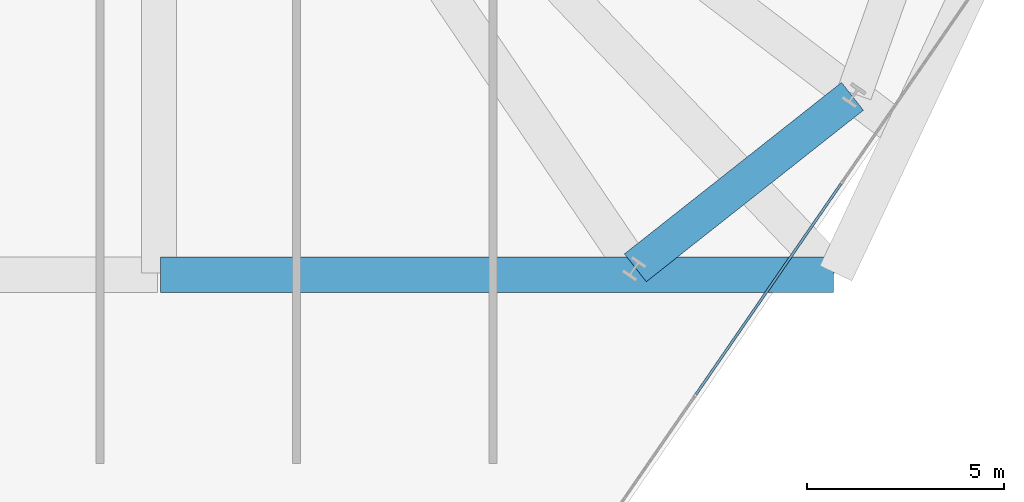
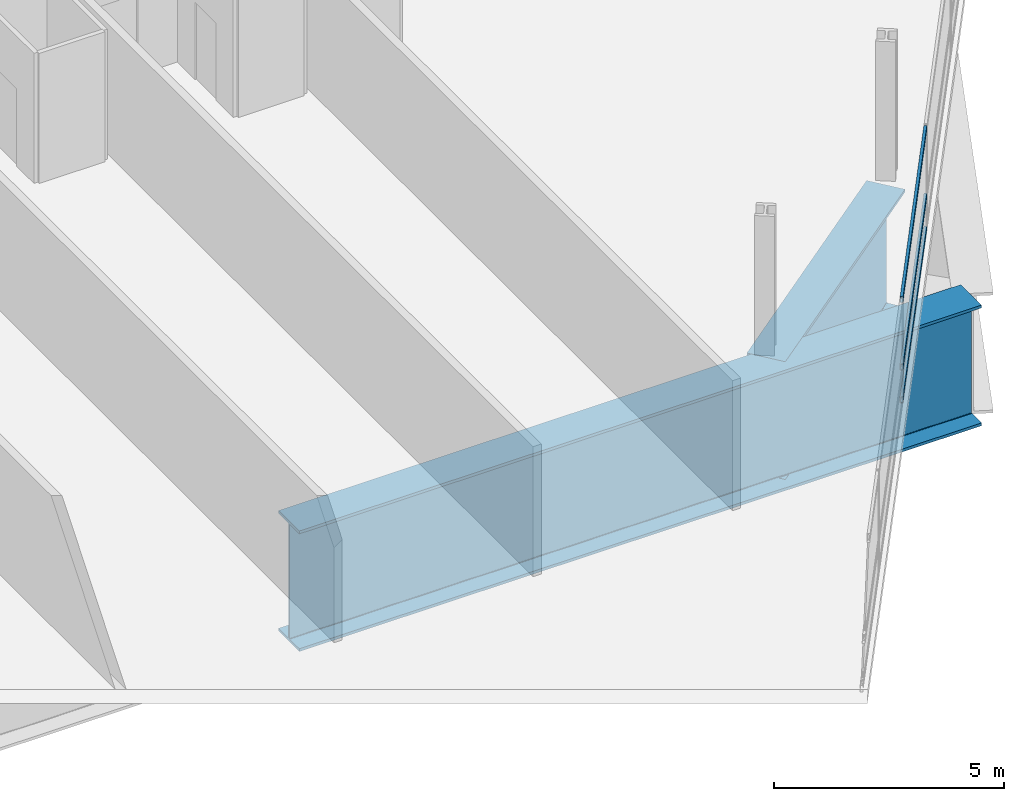
# One storey, part 7 of 26: 3 members, 2 beams, 1 element without a shape of its own.
"""IFC4 building model written with IfcOpenShell, lengths in metres."""

import ifcopenshell
import ifcopenshell.guid

model = None  # the IFC model being written
_history = None  # IfcOwnerHistory: only IFC2X3 demands one
_inside = {}  # id of a spatial element -> (the spatial element, [elements in it])
_under = {}  # id of a project, library or spatial element -> (it, [spatial elements below it])
_declared = {}  # id of a project -> (the project, [libraries it declares])
_typed = {}  # id of a type object -> (the type object, [elements of that type])
_made_of = {}  # id of a material, layer set ... -> (it, [elements and type objects made of it])


def new_model(schema):
    """Start an empty IFC model of exactly this schema.

    Asked for "IFC4X3", IfcOpenShell would pick the latest addendum, in which some entities
    have other attributes; the version numbers below select the first issue.
    IFC2X3 requires an IfcOwnerHistory on every rooted entity: one is made here for all.
    """
    global model, _history
    if schema == "IFC4X3":
        model = ifcopenshell.file(schema_version=(4, 3, 0, 0))
    else:
        model = ifcopenshell.file(schema=schema)
    _inside.clear()
    _under.clear()
    _declared.clear()
    _typed.clear()
    _made_of.clear()
    _history = None
    if model.schema == "IFC2X3":
        org = make("IfcOrganization", Name="unknown")
        user = make(
            "IfcPersonAndOrganization",
            ThePerson=make("IfcPerson", FamilyName="unknown"),
            TheOrganization=org,
        )
        app = make(
            "IfcApplication",
            ApplicationDeveloper=org,
            Version="unknown",
            ApplicationFullName="unknown",
            ApplicationIdentifier="unknown",
        )
        _history = make(
            "IfcOwnerHistory",
            OwningUser=user,
            OwningApplication=app,
            ChangeAction="ADDED",
            CreationDate=0,
        )
    return model


def make(cls, **values):
    """One entity of the class cls with the attributes given. An attribute that is None is left unset."""
    return model.create_entity(
        cls, **{name: value for name, value in values.items() if value is not None}
    )


def rooted(cls, **values):
    """An entity with a GlobalId (a new one), such as an element, a storey or a relation."""
    return make(cls, GlobalId=ifcopenshell.guid.new(), OwnerHistory=_history, **values)


def si_unit(unit_type, name, prefix=None):
    """IfcSIUnit, for example si_unit("LENGTHUNIT", "METRE", prefix="MILLI")."""
    return make("IfcSIUnit", UnitType=unit_type, Prefix=prefix, Name=name)


def assignment(units):
    """IfcUnitAssignment: the units of a project."""
    return None if units is None else make("IfcUnitAssignment", Units=units)


def point(xyz):
    """IfcCartesianPoint."""
    return None if xyz is None else make("IfcCartesianPoint", Coordinates=xyz)


def direction(xyz):
    """IfcDirection."""
    return None if xyz is None else make("IfcDirection", DirectionRatios=xyz)


def frame(location, z_axis=None, x_axis=None):
    """IfcAxis2Placement3D, a coordinate frame: its origin and axes. An axis left out is left unset."""
    return make(
        "IfcAxis2Placement3D",
        Location=point(location),
        Axis=direction(z_axis),
        RefDirection=direction(x_axis),
    )


def frame_2d(location, x_axis=None):
    """IfcAxis2Placement2D, a coordinate frame in the plane: its origin and x axis."""
    return make(
        "IfcAxis2Placement2D", Location=point(location), RefDirection=direction(x_axis)
    )


def origin():
    """The frame at (0, 0, 0) with its axes left unset."""
    return frame((0.0, 0.0, 0.0))


def origin_2d():
    """The frame at (0, 0) in the plane with its x axis left unset."""
    return frame_2d((0.0, 0.0))


def place(relative_to, where):
    """IfcLocalPlacement: puts the frame where relative to a parent placement (None: the world)."""
    return make(
        "IfcLocalPlacement", PlacementRelTo=relative_to, RelativePlacement=where
    )


def context(
    kind, dimensions, precision=None, world=None, true_north=None, identifier=None
):
    """IfcGeometricRepresentationContext, for example the 3D "Model" context."""
    return make(
        "IfcGeometricRepresentationContext",
        ContextIdentifier=identifier,
        ContextType=kind,
        CoordinateSpaceDimension=dimensions,
        Precision=precision,
        WorldCoordinateSystem=world,
        TrueNorth=true_north,
    )


def subcontext(parent, identifier, kind, view, scale=None):
    """IfcGeometricRepresentationSubContext, for example "Body" below "Model"."""
    return make(
        "IfcGeometricRepresentationSubContext",
        ContextIdentifier=identifier,
        ContextType=kind,
        ParentContext=parent,
        TargetScale=scale,
        TargetView=view,
    )


def project(units=None, contexts=None):
    """IfcProject with its units and contexts."""
    return rooted(
        "IfcProject",
        Name="project",
        RepresentationContexts=contexts,
        UnitsInContext=assignment(units),
    )


def spatial(cls, under=None, at=None, **own):
    """A site, building, storey or space (cls), placed at a placement, below another one or the project."""
    s = rooted(cls, ObjectPlacement=at, **own)
    if under is not None:
        _under.setdefault(under.id(), (under, []))[1].append(s)
    return s


def profile(cls, at=None, kind="AREA", **sizes):
    """A parametric profile (cls). Its sizes go by their IFC names, for example OverallWidth=200.0."""
    return make(cls, ProfileType=kind, Position=at, **sizes)


def hollow_rectangle(**sizes):
    """IfcRectangleHollowProfileDef."""
    return profile("IfcRectangleHollowProfileDef", **sizes)


def i_section(**sizes):
    """IfcIShapeProfileDef."""
    return profile("IfcIShapeProfileDef", **sizes)


def extrude(swept, where, along, depth):
    """IfcExtrudedAreaSolid: the profile swept, set in the frame where, extruded along a direction by depth."""
    return make(
        "IfcExtrudedAreaSolid",
        SweptArea=swept,
        Position=where,
        ExtrudedDirection=direction(along),
        Depth=depth,
    )


def shape(context_of_items, identifier, shape_type, items):
    """IfcShapeRepresentation: the items that make up one representation, for example the "Body"."""
    return make(
        "IfcShapeRepresentation",
        ContextOfItems=context_of_items,
        RepresentationIdentifier=identifier,
        RepresentationType=shape_type,
        Items=items,
    )


def material(Name=None, Category=None):
    """IfcMaterial."""
    return make("IfcMaterial", Name=Name, Category=Category)


def layer(
    of_material, thickness, ventilated=None, Name=None, Category=None, Priority=None
):
    """IfcMaterialLayer: one layer of a wall or slab, of a material (None: an air gap)."""
    return make(
        "IfcMaterialLayer",
        Material=of_material,
        LayerThickness=thickness,
        IsVentilated=ventilated,
        Name=Name,
        Category=Category,
        Priority=Priority,
    )


def layer_set(layers, Name=None):
    """IfcMaterialLayerSet."""
    return make("IfcMaterialLayerSet", MaterialLayers=layers, LayerSetName=Name)


def material_profile(
    of_material, cross_section, Name=None, Category=None, Priority=None
):
    """IfcMaterialProfile: a cross section and its material."""
    return make(
        "IfcMaterialProfile",
        Name=Name,
        Material=of_material,
        Profile=cross_section,
        Priority=Priority,
        Category=Category,
    )


def profile_set(profiles, Name=None, composite=None):
    """IfcMaterialProfileSet."""
    return make(
        "IfcMaterialProfileSet",
        Name=Name,
        MaterialProfiles=profiles,
        CompositeProfile=composite,
    )


def made_of(thing, what):
    """Note that an element or type object is made of a material, layer set ...; save() writes the relation."""
    if what is not None:
        _made_of.setdefault(what.id(), (what, []))[1].append(thing)
    return thing


def type_object(cls, material=None, **own):
    """A type object (cls), such as IfcWallType, which elements share."""
    return made_of(rooted(cls, **own), material)


def element(
    cls,
    number,
    at=None,
    inside=None,
    cuts=None,
    type_object=None,
    material=None,
    context=None,
    identifier="Body",
    shape_type=None,
    held_by="IfcProductDefinitionShape",
    body=None,
    shapes=None,
    **own,
):
    """One element of the class cls, such as IfcWall. Its Tag is "e" and its number.

    at: its placement. inside: the storey or other place that contains it. cuts: it is an
    opening in that element (IfcRelVoidsElement). A single representation is given by context,
    identifier, shape_type and body (its items); several are given by shapes. held_by: the class
    of the entity that holds the representations. save() writes the other relations.
    """
    e = rooted(cls, Tag="e%d" % number, ObjectPlacement=at, **own)
    if body is not None:
        shapes = [shape(context, identifier, shape_type, body)]
    if shapes is not None:
        e.Representation = make(held_by, Representations=shapes)
    if inside is not None:
        _inside.setdefault(inside.id(), (inside, []))[1].append(e)
    if cuts is not None:
        rooted(
            "IfcRelVoidsElement", RelatingBuildingElement=cuts, RelatedOpeningElement=e
        )
    if type_object is not None:
        _typed.setdefault(type_object.id(), (type_object, []))[1].append(e)
    return made_of(e, material)


def aggregate(whole, parts):
    """IfcRelAggregates: a whole, such as a stair, and the parts it consists of."""
    return rooted("IfcRelAggregates", RelatingObject=whole, RelatedObjects=parts)


def save(model, path):
    """Write the relations noted so far, then the file.

    IfcRelAggregates (storeys below a building ...), IfcRelContainedInSpatialStructure (elements
    in a storey), IfcRelDefinesByType, IfcRelAssociatesMaterial and IfcRelDeclares: one each for
    every whole, place, type object, material and project.
    """
    for whole, parts in _under.values():
        aggregate(whole, parts)
    for where, things in _inside.values():
        rooted(
            "IfcRelContainedInSpatialStructure",
            RelatedElements=things,
            RelatingStructure=where,
        )
    for kind, things in _typed.values():
        rooted("IfcRelDefinesByType", RelatedObjects=things, RelatingType=kind)
    for what, things in _made_of.values():
        rooted("IfcRelAssociatesMaterial", RelatedObjects=things, RelatingMaterial=what)
    for by, libraries in _declared.values():
        rooted("IfcRelDeclares", RelatingContext=by, RelatedDefinitions=libraries)
    model.write(path)


model = new_model("IFC4")

# Units and contexts
model_context = context("Model", 3, precision=1e-05, world=origin(), true_north=direction((0.0, 1.0)))
body_context = subcontext(model_context, "Body", "Model", "MODEL_VIEW")
ifc_project = project(units=[si_unit("LENGTHUNIT", "METRE"), si_unit("AREAUNIT", "SQUARE_METRE"), si_unit("VOLUMEUNIT", "CUBIC_METRE"), si_unit("PLANEANGLEUNIT", "RADIAN"), si_unit("MASSUNIT", "GRAM", prefix="KILO")], contexts=[model_context])

# Site, building, storey
site_placement = place(None, origin())
site = spatial("IfcSite", under=ifc_project, at=site_placement, CompositionType="ELEMENT")
building_placement = place(site_placement, origin())
building = spatial("IfcBuilding", under=site, at=building_placement, Name="Varnelok Gate Tower", CompositionType="ELEMENT")
storey_placement = place(building_placement, frame((0.0, 0.0, 27.0)))
storey = spatial("IfcBuildingStorey", under=building, at=storey_placement, Name="L05", CompositionType="ELEMENT", Elevation=27.0)

# Beams
ifc_material_1 = material(Name="Structural Steel ASTM A572 Grade 50", Category="steel")
ifc_material_profile_1 = material_profile(ifc_material_1, i_section(OverallWidth=0.89990234375, OverallDepth=3.199951171875, WebThickness=0.0400390625, FlangeThickness=0.074951171875, FilletRadius=0.030029296875, at=origin_2d()), Name="PG3200X900")
ifc_profile_set_1 = profile_set([ifc_material_profile_1], Name="Structural Steel ASTM A572 Grade 50")
beam_type = type_object("IfcBeamType", Name="BM-TR-PG3200", PredefinedType="BEAM", material=ifc_profile_set_1)
beam_1_placement = place(storey_placement, frame((54.0400390625, 0.800048828125, -1.85009765625), z_axis=(1.0, 0.0, 0.0), x_axis=(0.0, 1.0, 0.0)))
element("IfcBeam", 1, at=beam_1_placement, inside=storey, type_object=beam_type, Name="L05 Transfer Support Ring Girder 3", PredefinedType="BEAM", context=body_context, shape_type="SweptSolid", body=[
    extrude(i_section(OverallWidth=0.89990234375, OverallDepth=3.199951171875, WebThickness=0.0400390625, FlangeThickness=0.074951171875, FilletRadius=0.030029296875, at=origin_2d()), origin(), (0.0, 0.0, 1.0), 17.119873046875),
])
beam_2_placement = place(storey_placement, frame((66.1162109375, 0.977294921875, -1.85009765625), z_axis=(0.784847238255, 0.619689287146, 0.0), x_axis=(-0.619689287146, 0.784847238255, 0.0)))
element("IfcBeam", 2, at=beam_2_placement, inside=storey, type_object=beam_type, Name="L05 Upper Perimeter Transfer Ring 6", PredefinedType="BEAM", context=body_context, shape_type="SweptSolid", body=[
    extrude(i_section(OverallWidth=0.89990234375, OverallDepth=3.199951171875, WebThickness=0.0400390625, FlangeThickness=0.074951171875, FilletRadius=0.030029296875, at=origin_2d()), origin(), (0.0, 0.0, 1.0), 7.036376953125),
])

# Curtain wall, members
ifc_material_2 = material(Name="Anodized Aluminum Alloy 6063-T6", Category="aluminium")
ifc_layer = layer(ifc_material_2, 0.179931640625)
ifc_layer_set = layer_set([ifc_layer], Name="Anodized Aluminum Alloy 6063-T6")
curtain_wall_type = type_object("IfcCurtainWallType", Name="CW3-HOTEL-VISION", PredefinedType="USERDEFINED", material=ifc_layer_set)
curtain_wall_placement = place(storey_placement, origin())
curtain_wall = element("IfcCurtainWall", 3, at=curtain_wall_placement, inside=storey, type_object=curtain_wall_type, Name="L05 East End Vision Curtain Wall", ObjectType="UNITISED CURTAIN WALL", PredefinedType="USERDEFINED")
ifc_material_profile_2 = material_profile(ifc_material_2, hollow_rectangle(XDim=0.06494140625, YDim=0.159912109375, WallThickness=0.00390625, at=origin_2d()), Name="ALU160X65X4")
ifc_profile_set_2 = profile_set([ifc_material_profile_2], Name="Anodized Aluminum Alloy 6063-T6")
member_type = type_object("IfcMemberType", Name="CW-TRAN-160", PredefinedType="USERDEFINED", material=ifc_profile_set_2)
member_1_placement = place(storey_placement, frame((71.348876953125, 3.11572265625, 0.032470703125), z_axis=(-0.567279204469, -0.823525533409, 0.0), x_axis=(0.823525533409, -0.567279204469, 0.0)))
member_1 = element("IfcMember", 4, at=member_1_placement, type_object=member_type, Name="CW3 transom 4.1", ObjectType="TRANSOM", PredefinedType="USERDEFINED", context=body_context, shape_type="SweptSolid", body=[
    extrude(hollow_rectangle(XDim=0.06494140625, YDim=0.159912109375, WallThickness=0.00390625, at=origin_2d()), origin(), (0.0, 0.0, 1.0), 6.501708984375),
])
member_2_placement = place(storey_placement, frame((71.348876953125, 3.11572265625, 0.89990234375), z_axis=(-0.567279204469, -0.823525533409, 0.0), x_axis=(0.823525533409, -0.567279204469, 0.0)))
member_2 = element("IfcMember", 5, at=member_2_placement, type_object=member_type, Name="CW3 transom 4.2", ObjectType="TRANSOM", PredefinedType="USERDEFINED", context=body_context, shape_type="SweptSolid", body=[
    extrude(hollow_rectangle(XDim=0.06494140625, YDim=0.159912109375, WallThickness=0.00390625, at=origin_2d()), origin(), (0.0, 0.0, 1.0), 6.501708984375),
])
member_3_placement = place(storey_placement, frame((71.348876953125, 3.11572265625, 2.697509765625), z_axis=(-0.567279204469, -0.823525533409, 0.0), x_axis=(0.823525533409, -0.567279204469, 0.0)))
member_3 = element("IfcMember", 6, at=member_3_placement, type_object=member_type, Name="CW3 transom 4.3", ObjectType="TRANSOM", PredefinedType="USERDEFINED", context=body_context, shape_type="SweptSolid", body=[
    extrude(hollow_rectangle(XDim=0.06494140625, YDim=0.159912109375, WallThickness=0.00390625, at=origin_2d()), origin(), (0.0, 0.0, 1.0), 6.501708984375),
])
aggregate(curtain_wall, [member_1, member_2, member_3])

save(model, "model.ifc")
